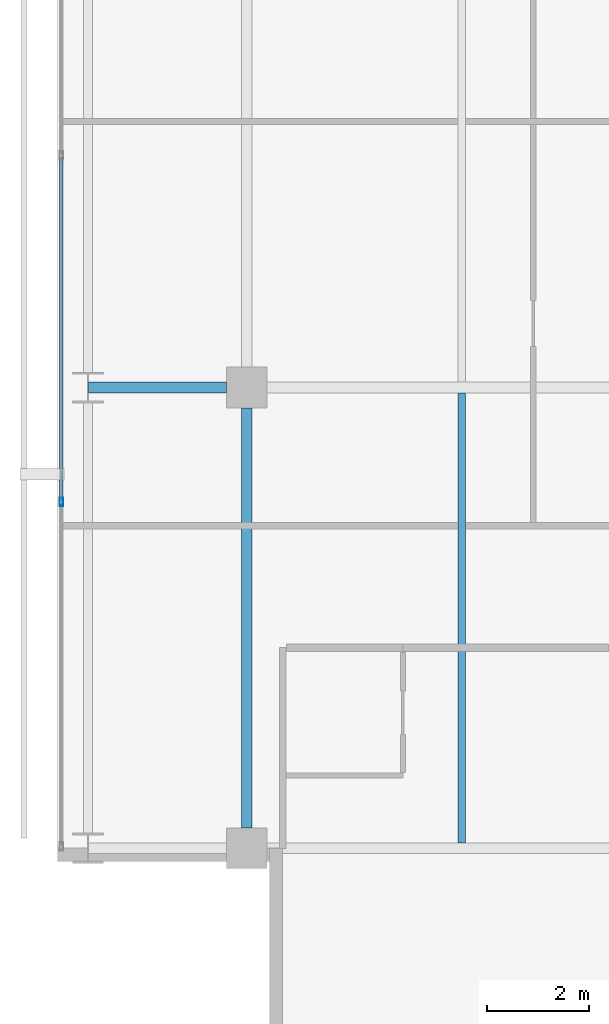
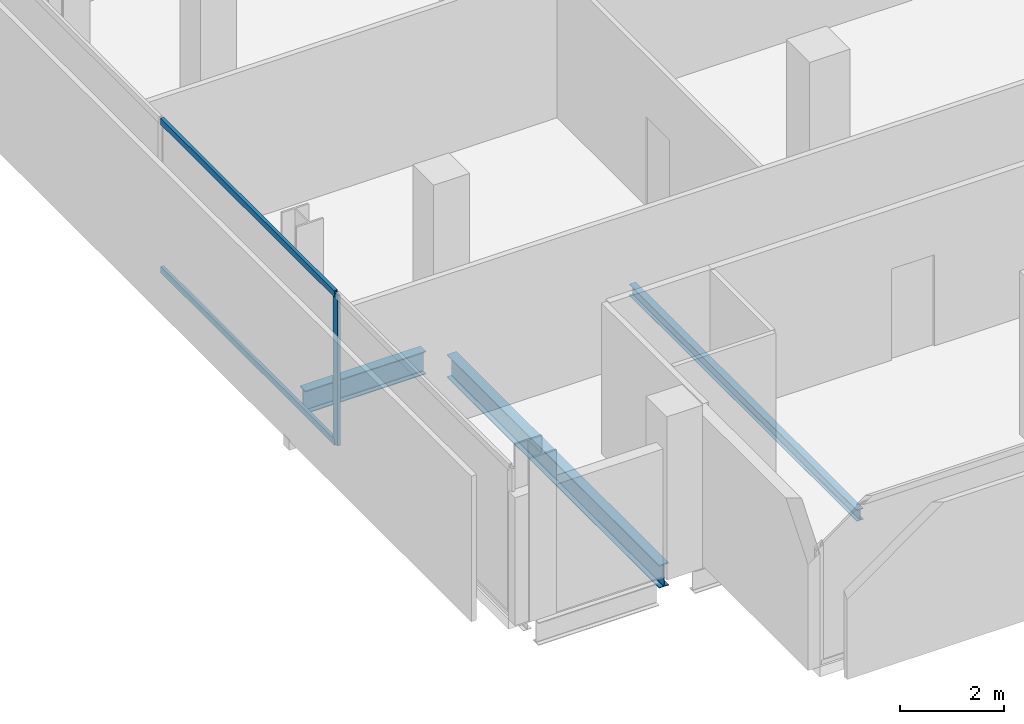
# One storey, part 4 of 32: 3 beams, 3 members, 1 element without a shape of its own.
"""IFC4 building model written with IfcOpenShell, lengths in metres."""

from ifc_helpers import new_model, si_unit, direction, frame, origin, origin_2d, place, context, subcontext, project, spatial, hollow_rectangle, i_section, extrude, material, layer, layer_set, material_profile, profile_set, type_object, element, aggregate, save


model = new_model("IFC4")

# Units and contexts
model_context = context("Model", 3, precision=1e-05, world=origin(), true_north=direction((0.0, 1.0)))
body_context = subcontext(model_context, "Body", "Model", "MODEL_VIEW")
ifc_project = project(units=[si_unit("LENGTHUNIT", "METRE"), si_unit("AREAUNIT", "SQUARE_METRE"), si_unit("VOLUMEUNIT", "CUBIC_METRE"), si_unit("PLANEANGLEUNIT", "RADIAN"), si_unit("MASSUNIT", "GRAM", prefix="KILO")], contexts=[model_context])

# Site, building, storey
site_placement = place(None, origin())
site = spatial("IfcSite", under=ifc_project, at=site_placement, CompositionType="ELEMENT")
building_placement = place(site_placement, origin())
building = spatial("IfcBuilding", under=site, at=building_placement, Name="Maruvema Waterfront Hotel and Observation Tower", CompositionType="ELEMENT")
storey_placement = place(building_placement, frame((0.0, 0.0, 223.64990234375)))
storey = spatial("IfcBuildingStorey", under=building, at=storey_placement, Name="L55", CompositionType="ELEMENT", Elevation=223.64990234375)

# Curtain wall, members
ifc_material_1 = material(Name="Anodised bronze aluminium and solar-control low-E IGU", Category="aluminium")
ifc_layer = layer(ifc_material_1, 0.159912109375, Name="Zone 2 Amber Inner Thermal Curtain Wall System CW-03")
ifc_layer_set = layer_set([ifc_layer], Name="Anodised bronze aluminium and solar-control low-E IGU")
curtain_wall_type = type_object("IfcCurtainWallType", Name="Zone 2 Amber Inner Thermal Curtain Wall System CW-03", PredefinedType="USERDEFINED", material=ifc_layer_set)
curtain_wall_placement = place(storey_placement, origin())
curtain_wall = element("IfcCurtainWall", 1, at=curtain_wall_placement, inside=storey, type_object=curtain_wall_type, Name="L55 Curtain Wall CW-L55-W", ObjectType="UNITISED CURTAIN WALL", PredefinedType="USERDEFINED")
ifc_material_2 = material(Name="Anodised architectural bronze aluminium", Category="aluminium")
ifc_material_profile_1 = material_profile(ifc_material_2, hollow_rectangle(XDim=0.070068359375, YDim=0.14990234375, WallThickness=0.00390625, at=origin_2d()), Name="ALU-T70x150")
ifc_profile_set_1 = profile_set([ifc_material_profile_1], Name="Anodised architectural bronze aluminium")
member_type_1 = type_object("IfcMemberType", Name="Curtain Wall Horizontal Transom ALU-T70x150", PredefinedType="USERDEFINED", material=ifc_profile_set_1)
member_1_placement = place(storey_placement, frame((13.179931640625, 22.50341796875, 0.030029296875), z_axis=(0.0, -1.0, 0.0), x_axis=(1.0, 0.0, 0.0)))
member_1 = element("IfcMember", 2, at=member_1_placement, type_object=member_type_1, Name="CW-03 transom 5.1", ObjectType="TRANSOM", PredefinedType="USERDEFINED", context=body_context, shape_type="SweptSolid", body=[
    extrude(hollow_rectangle(XDim=0.070068359375, YDim=0.14990234375, WallThickness=0.00390625, at=origin_2d()), origin(), (0.0, 0.0, 1.0), 6.706787109375),
])
member_2_placement = place(storey_placement, frame((13.179931640625, 22.50341796875, 3.52001953125), z_axis=(0.0, -1.0, 0.0), x_axis=(1.0, 0.0, 0.0)))
member_2 = element("IfcMember", 3, at=member_2_placement, type_object=member_type_1, Name="CW-03 transom 5.2", ObjectType="TRANSOM", PredefinedType="USERDEFINED", context=body_context, shape_type="SweptSolid", body=[
    extrude(hollow_rectangle(XDim=0.070068359375, YDim=0.14990234375, WallThickness=0.00390625, at=origin_2d()), origin(), (0.0, 0.0, 1.0), 6.706787109375),
])
ifc_material_3 = material(Name="Anodised architectural bronze aluminium", Category="aluminium")
ifc_material_profile_2 = material_profile(ifc_material_3, hollow_rectangle(XDim=0.06494140625, YDim=0.1650390625, WallThickness=0.00390625, at=origin_2d()), Name="ALU-M65x165")
ifc_profile_set_2 = profile_set([ifc_material_profile_2], Name="Anodised architectural bronze aluminium")
member_type_2 = type_object("IfcMemberType", Name="Curtain Wall Primary Mullion ALU-M65x165", PredefinedType="MULLION", material=ifc_profile_set_2)
member_3_placement = place(storey_placement, frame((13.179931640625, 15.7666015625, 0.0), z_axis=(0.0, 0.0, 1.0), x_axis=(1.0, 0.0, 0.0)))
member_3 = element("IfcMember", 4, at=member_3_placement, type_object=member_type_2, Name="CW-03 mullion 6", PredefinedType="MULLION", context=body_context, shape_type="SweptSolid", body=[
    extrude(hollow_rectangle(XDim=0.06494140625, YDim=0.1650390625, WallThickness=0.00390625, at=origin_2d()), origin(), (0.0, 0.0, 1.0), 3.550048828125),
])
aggregate(curtain_wall, [member_3, member_1, member_2])

# Beams
ifc_material_4 = material(Name="Steel ASTM A572 Grade 50", Category="steel")
ifc_material_profile_3 = material_profile(ifc_material_4, i_section(OverallWidth=0.2109375, OverallDepth=0.5390625, WebThickness=0.01171875, FlangeThickness=0.018798828125, FilletRadius=0.014892578125, at=origin_2d()), Name="W530x109.0")
ifc_profile_set_3 = profile_set([ifc_material_profile_3], Name="Steel ASTM A572 Grade 50")
beam_type_1 = type_object("IfcBeamType", Name="Primary Floor Girder W530x109.0", PredefinedType="BEAM", material=ifc_profile_set_3)
beam_1_placement = place(storey_placement, frame((13.71240234375, 18.0, -0.509521484375), z_axis=(1.0, 0.0, 0.0), x_axis=(0.0, 1.0, 0.0)))
element("IfcBeam", 5, at=beam_1_placement, inside=storey, type_object=beam_type_1, Name="L55 Floor Girder EW-11", PredefinedType="BEAM", context=body_context, shape_type="SweptSolid", body=[
    extrude(i_section(OverallWidth=0.2109375, OverallDepth=0.5390625, WebThickness=0.01171875, FlangeThickness=0.018798828125, FilletRadius=0.014892578125, at=origin_2d()), origin(), (0.0, 0.0, 1.0), 2.6875),
])
beam_2_placement = place(storey_placement, frame((16.800048828125, 9.39990234375, -0.509521484375), z_axis=(0.0, 1.0, 0.0), x_axis=(-1.0, 0.0, 0.0)))
element("IfcBeam", 6, at=beam_2_placement, inside=storey, type_object=beam_type_1, Name="L55 Floor Girder NS-05", PredefinedType="BEAM", context=body_context, shape_type="SweptSolid", body=[
    extrude(i_section(OverallWidth=0.2109375, OverallDepth=0.5390625, WebThickness=0.01171875, FlangeThickness=0.018798828125, FilletRadius=0.014892578125, at=origin_2d()), origin(), (0.0, 0.0, 1.0), 8.2001953125),
])
ifc_material_5 = material(Name="Steel ASTM A572 Grade 50", Category="steel")
ifc_material_profile_4 = material_profile(ifc_material_5, i_section(OverallWidth=0.14794921875, OverallDepth=0.26611328125, WebThickness=0.007568359375, FlangeThickness=0.012939453125, FilletRadius=0.012939453125, at=origin_2d()), Name="W250x44.8")
ifc_profile_set_4 = profile_set([ifc_material_profile_4], Name="Steel ASTM A572 Grade 50")
beam_type_2 = type_object("IfcBeamType", Name="Secondary Floor Joist W250x44.8", PredefinedType="JOIST", material=ifc_profile_set_4)
beam_3_placement = place(storey_placement, frame((21.0, 9.10546875, -0.372802734375), z_axis=(0.0, 1.0, 0.0), x_axis=(-1.0, 0.0, 0.0)))
element("IfcBeam", 7, at=beam_3_placement, inside=storey, type_object=beam_type_2, Name="L55 Secondary Floor Joist JS-01", PredefinedType="JOIST", context=body_context, shape_type="SweptSolid", body=[
    extrude(i_section(OverallWidth=0.14794921875, OverallDepth=0.26611328125, WebThickness=0.007568359375, FlangeThickness=0.012939453125, FilletRadius=0.012939453125, at=origin_2d()), origin(), (0.0, 0.0, 1.0), 8.7890625),
])

save(model, "model.ifc")
